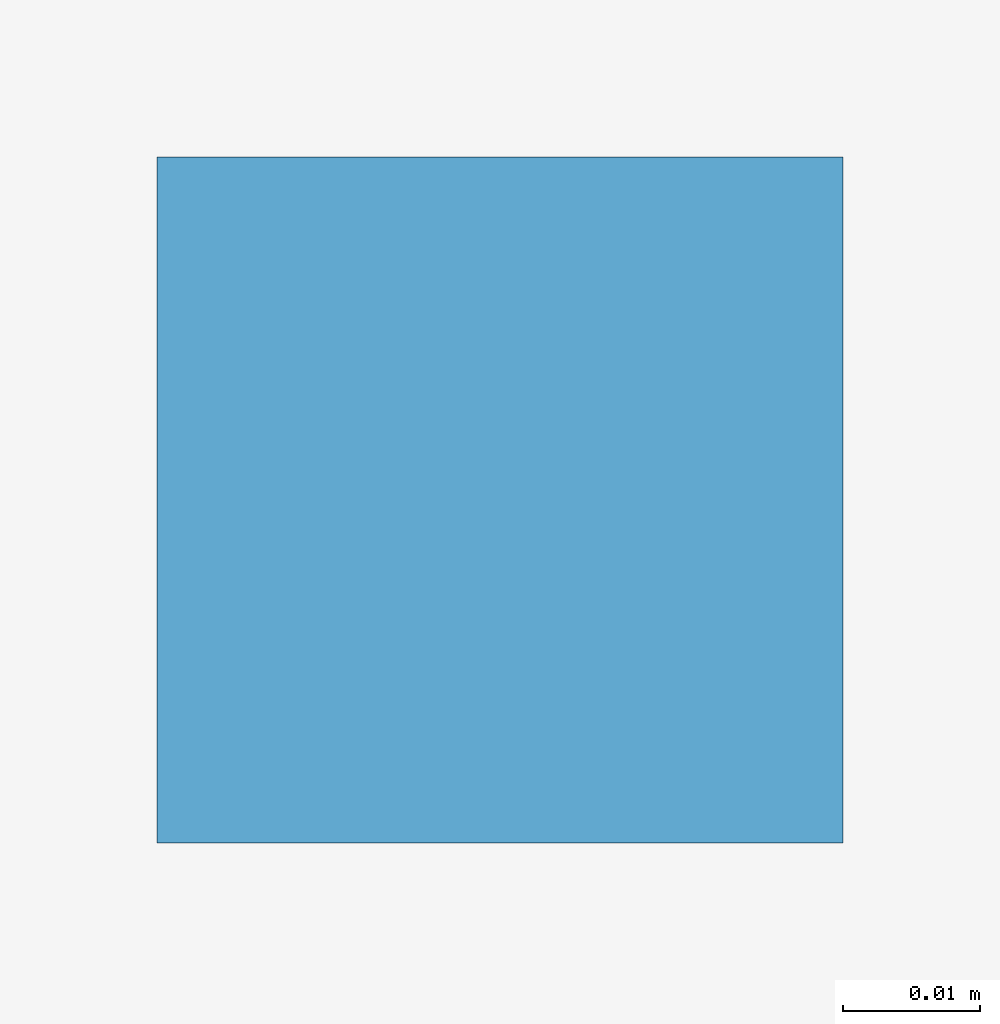
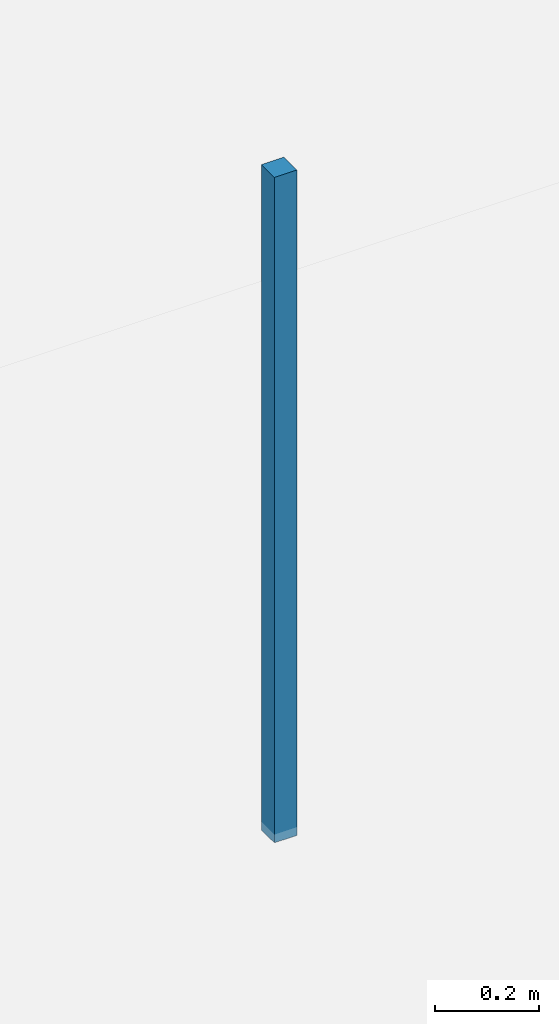
# One storey, part 44 of 54: 1 discrete accessory.
"""IFC4 building model written with IfcOpenShell, lengths in metres."""

from ifc_helpers import new_model, si_unit, direction, frame, origin, origin_2d, place, context, subcontext, project, spatial, rectangle, extrude, material, type_object, element, save


model = new_model("IFC4")

# Units and contexts
model_context = context("Model", 3, precision=1e-05, world=origin(), true_north=direction((0.0, 1.0)))
body_context = subcontext(model_context, "Body", "Model", "MODEL_VIEW")
ifc_project = project(units=[si_unit("LENGTHUNIT", "METRE"), si_unit("AREAUNIT", "SQUARE_METRE"), si_unit("VOLUMEUNIT", "CUBIC_METRE"), si_unit("PLANEANGLEUNIT", "RADIAN"), si_unit("MASSUNIT", "GRAM", prefix="KILO")], contexts=[model_context])

# Site, building, storey
site_placement = place(None, origin())
site = spatial("IfcSite", under=ifc_project, at=site_placement, CompositionType="ELEMENT")
building_placement = place(site_placement, origin())
building = spatial("IfcBuilding", under=site, at=building_placement, Name="Kazehaya Institute of Natural Sciences", CompositionType="ELEMENT")
storey_placement = place(building_placement, frame((0.0, 0.0, 5.39990234375)))
storey = spatial("IfcBuildingStorey", under=building, at=storey_placement, Name="L01", CompositionType="ELEMENT", Elevation=5.39990234375)

# Discrete accessory
ifc_material = material(Name="Structural steel SN490B", Category="steel")
discrete_accessory_type = type_object("IfcDiscreteAccessoryType", Name="ACC-CLG-HGR", PredefinedType="BRACKET", material=ifc_material)
discrete_accessory_placement = place(storey_placement, frame((72.60791015625, 103.973388671875, 3.392578125), z_axis=(0.0, 0.0, 1.0), x_axis=(1.0, 0.0, 0.0)))
element("IfcDiscreteAccessory", 1, at=discrete_accessory_placement, inside=storey, type_object=discrete_accessory_type, Name="L01 ceiling suspension hanger 21", PredefinedType="BRACKET", context=body_context, shape_type="SweptSolid", body=[
    extrude(rectangle(XDim=0.050048828125, YDim=0.050048828125, at=origin_2d()), origin(), (0.0, 0.0, 1.0), 1.5673828125),
])

save(model, "model.ifc")
